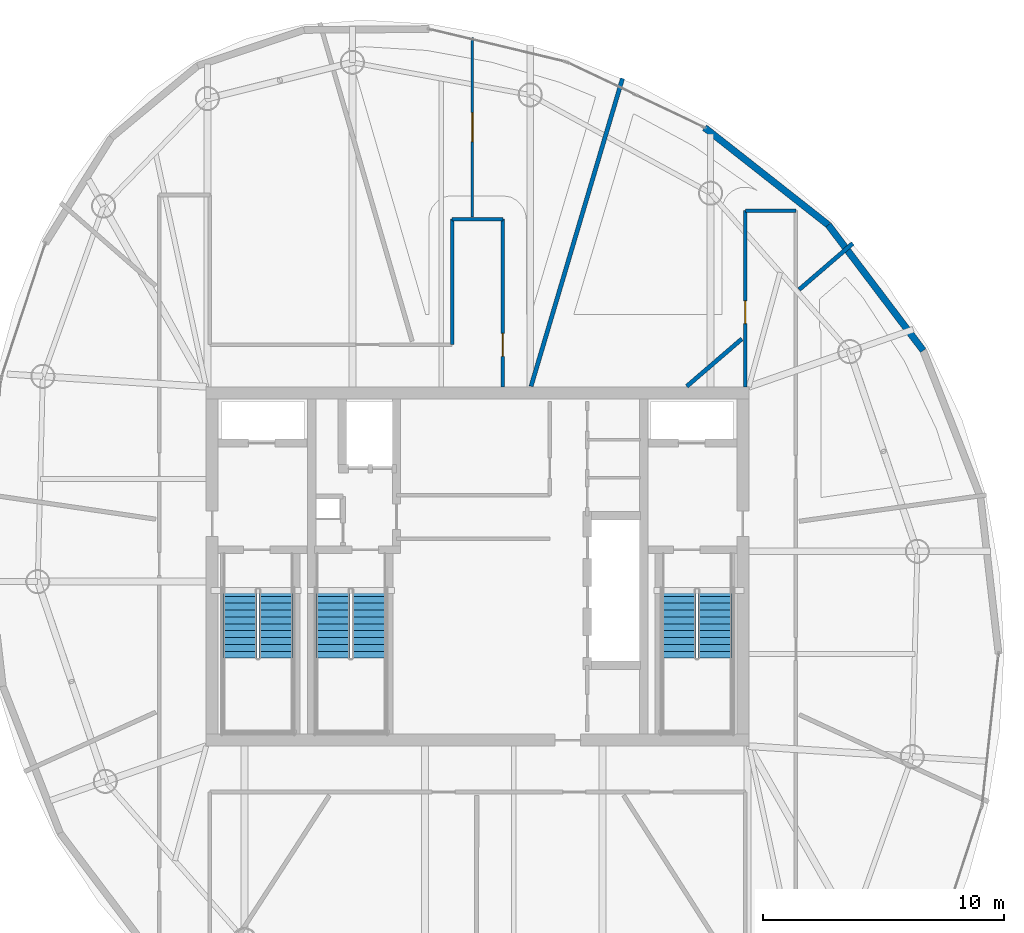
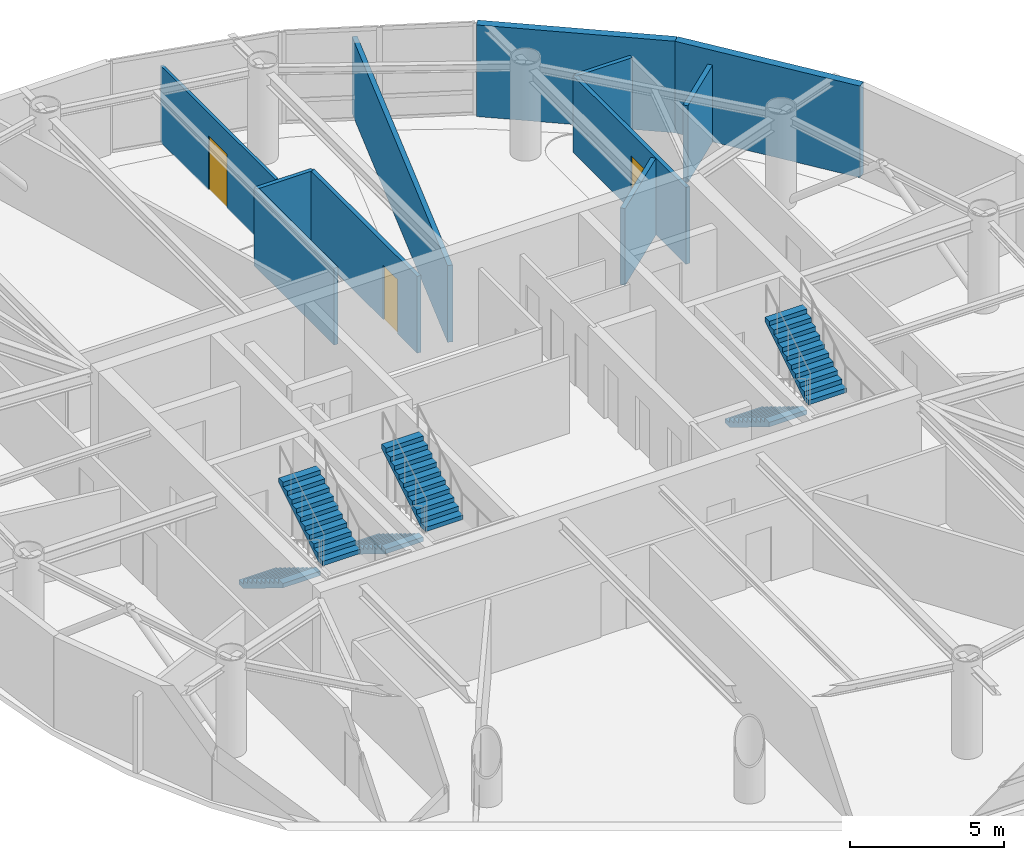
# One storey, part 17 of 20: 11 walls, 6 stair flights, 3 doors, 3 openings, 3 elements without a shape of their own.
"""IFC4 building model written with IfcOpenShell, lengths in metres."""

from ifc_helpers import new_model, si_unit, direction, frame, frame_2d, origin, place, context, subcontext, project, spatial, polyline, rectangle, outline, extrude, material, layer, layer_set, type_object, element, fill, aggregate, save


model = new_model("IFC4")

# Units and contexts
model_context = context("Model", 3, precision=1e-05, world=origin(), true_north=direction((0.0, 1.0)))
body_context = subcontext(model_context, "Body", "Model", "MODEL_VIEW")
ifc_project = project(units=[si_unit("LENGTHUNIT", "METRE"), si_unit("AREAUNIT", "SQUARE_METRE"), si_unit("VOLUMEUNIT", "CUBIC_METRE"), si_unit("PLANEANGLEUNIT", "RADIAN"), si_unit("MASSUNIT", "GRAM", prefix="KILO")], contexts=[model_context])

# Site, building, storey
site_placement = place(None, origin())
site = spatial("IfcSite", under=ifc_project, at=site_placement, CompositionType="ELEMENT")
building_placement = place(site_placement, origin())
building = spatial("IfcBuilding", under=site, at=building_placement, Name="Bramvorn Convention Spire", CompositionType="ELEMENT")
storey_placement = place(building_placement, frame((0.0, 0.0, 276.699951171875)))
storey = spatial("IfcBuildingStorey", under=building, at=storey_placement, Name="L70", CompositionType="ELEMENT", Elevation=276.699951171875)

# Walls
ifc_material_1 = material(Name="Precast Concrete C40/50 with Bronze Terracotta Rainscreen", Category="masonry")
ifc_layer_1 = layer(ifc_material_1, 0.300048828125)
ifc_layer_set_1 = layer_set([ifc_layer_1], Name="Precast Concrete C40/50 with Bronze Terracotta Rainscreen - WL-EXT-BRONZE-300")
wall_type_1 = type_object("IfcWallType", Name="WL-EXT-BRONZE-300", PredefinedType="SOLIDWALL", material=ifc_layer_set_1)
wall_1_placement = place(storey_placement, frame((52.54345703125, 40.159912109375, 0.0), z_axis=(0.0, 0.0, 1.0), x_axis=(0.602964309208, -0.797768162953, 0.0)))
element("IfcWall", 1, at=wall_1_placement, inside=storey, type_object=wall_type_1, Name="L70 expressed bronze Gothic lancet pier wall 07", PredefinedType="SOLIDWALL", context=body_context, shape_type="SweptSolid", body=[
    extrude(rectangle(XDim=6.527099609375, YDim=0.280029296875, at=frame_2d((3.263671875, 0.0))), origin(), (0.0, 0.0, 1.0), 3.625),
])
wall_2_placement = place(storey_placement, frame((47.414306640625, 44.195068359375, 0.0), z_axis=(0.0, 0.0, 1.0), x_axis=(0.785937839429, -0.618305517163, 0.0)))
element("IfcWall", 2, at=wall_2_placement, inside=storey, type_object=wall_type_1, Name="L70 expressed bronze Gothic lancet pier wall 08", PredefinedType="SOLIDWALL", context=body_context, shape_type="SweptSolid", body=[
    extrude(rectangle(XDim=6.526123046875, YDim=0.280029296875, at=frame_2d((3.26318359375, 0.0))), origin(), (0.0, 0.0, 1.0), 3.625),
])

# Wall, opening, door
ifc_material_2 = material(Name="Lightweight En-Suite & Wet-Wall Partition", Category="gypsum")
ifc_layer_2 = layer(ifc_material_2, 0.110107421875)
ifc_layer_set_2 = layer_set([ifc_layer_2], Name="Lightweight En-Suite & Wet-Wall Partition - WL-PART-110")
wall_type_2 = type_object("IfcWallType", Name="WL-PART-110", PredefinedType="PARTITIONING", material=ifc_layer_set_2)
wall_3_placement = place(storey_placement, frame((37.78759765625, 40.5, 0.0), z_axis=(0.0, 0.0, 1.0), x_axis=(0.0, 1.0, 0.0)))
wall_3 = element("IfcWall", 3, at=wall_3_placement, inside=storey, type_object=wall_type_2, Name="L70 Archive & Print Store 3 inner suite partition", PredefinedType="PARTITIONING", context=body_context, shape_type="SweptSolid", body=[
    extrude(rectangle(XDim=7.434814453125, YDim=0.110107421875, at=frame_2d((3.71728515625, 0.0))), origin(), (0.0, 0.0, 1.0), 3.0400390625),
])
opening_1_placement = place(wall_3_placement, frame((3.117431640625, 0.0, 0.0)))
opening_1 = element("IfcOpeningElement", 4, at=opening_1_placement, cuts=wall_3, Name="Opening DSL-12", PredefinedType="OPENING", context=body_context, shape_type="SweptSolid", body=[
    extrude(rectangle(XDim=1.199951171875, YDim=2.14990234375, at=frame_2d((0.60009765625, 1.074951171875))), frame((0.0, 0.06494140625, 0.0), z_axis=(0.0, -1.0, 0.0), x_axis=(1.0, 0.0, 0.0)), (0.0, 0.0, 1.0), 0.130126953125),
])
ifc_material_3 = material(Name="Pocket Sliding Bronze-Framed Glass Suite Door", Category="glass")
door_type_1 = type_object("IfcDoorType", Name="DR-SLIDE-1200", OperationType="NOTDEFINED", PredefinedType="DOOR", material=ifc_material_3)
door_1_placement = place(opening_1_placement, origin())
door_1 = element("IfcDoor", 5, at=door_1_placement, inside=storey, type_object=door_type_1, Name="L70 Inner Suite 3 door", OperationType="SLIDING_TO_RIGHT", OverallHeight=2.14990234375, OverallWidth=1.199951171875, PredefinedType="DOOR", context=body_context, shape_type="SweptSolid", body=[
    extrude(rectangle(XDim=1.199951171875, YDim=2.14990234375, at=frame_2d((0.60009765625, 1.074951171875))), frame((0.0, 0.02490234375, 0.0), z_axis=(0.0, -1.0, 0.0), x_axis=(1.0, 0.0, 0.0)), (0.0, 0.0, 1.0), 0.050048828125),
])
fill(opening_1, door_1)

ifc_material_4 = material(Name="Acoustic Metal-Stud Tenant/Corridor Partition", Category="gypsum")
ifc_layer_3 = layer(ifc_material_4, 0.14990234375)
ifc_layer_set_3 = layer_set([ifc_layer_3], Name="Acoustic Metal-Stud Tenant/Corridor Partition - WL-PART-150")
wall_type_3 = type_object("IfcWallType", Name="WL-PART-150", PredefinedType="PARTITIONING", material=ifc_layer_set_3)
wall_4_placement = place(storey_placement, frame((49.10009765625, 33.449951171875, 0.0), z_axis=(0.0, 0.0, 1.0), x_axis=(0.0, 1.0, 0.0)))
wall_4 = element("IfcWall", 6, at=wall_4_placement, inside=storey, type_object=wall_type_3, Name="L70 East gallery NW wall", PredefinedType="PARTITIONING", context=body_context, shape_type="SweptSolid", body=[
    extrude(rectangle(XDim=7.3056640625, YDim=0.14990234375, at=frame_2d((3.65283203125, 0.0))), origin(), (0.0, 0.0, 1.0), 3.0400390625),
])
opening_2_placement = place(wall_4_placement, frame((2.61474609375, 0.0, 0.0)))
opening_2 = element("IfcOpeningElement", 7, at=opening_2_placement, cuts=wall_4, Name="Opening DH-095", PredefinedType="OPENING", context=body_context, shape_type="SweptSolid", body=[
    extrude(rectangle(XDim=0.949951171875, YDim=2.14990234375, at=frame_2d((0.47509765625, 1.074951171875))), frame((0.0, 0.0849609375, 0.0), z_axis=(0.0, -1.0, 0.0), x_axis=(1.0, 0.0, 0.0)), (0.0, 0.0, 1.0), 0.169921875),
])
ifc_material_5 = material(Name="Solid-Core Acoustic Guestroom Entry Door", Category="wood")
door_type_2 = type_object("IfcDoorType", Name="DR-HOTEL-950", OperationType="NOTDEFINED", PredefinedType="DOOR", material=ifc_material_5)
door_2_placement = place(opening_2_placement, origin())
door_2 = element("IfcDoor", 8, at=door_2_placement, inside=storey, type_object=door_type_2, Name="L70 Archive & Document Vault 2 2 door", OperationType="SINGLE_SWING_RIGHT", OverallHeight=2.14990234375, OverallWidth=0.949951171875, PredefinedType="DOOR", context=body_context, shape_type="SweptSolid", body=[
    extrude(rectangle(XDim=0.949951171875, YDim=2.14990234375, at=frame_2d((0.47509765625, 1.074951171875))), frame((0.0, 0.02490234375, 0.0), z_axis=(0.0, -1.0, 0.0), x_axis=(1.0, 0.0, 0.0)), (0.0, 0.0, 1.0), 0.050048828125),
])
fill(opening_2, door_2)

# Walls
wall_5_placement = place(storey_placement, frame((49.10009765625, 40.755615234375, 0.0), z_axis=(0.0, 0.0, 1.0), x_axis=(1.0, 0.0, 0.0)))
element("IfcWall", 9, at=wall_5_placement, inside=storey, type_object=wall_type_3, Name="L70 East gallery north end", PredefinedType="PARTITIONING", context=body_context, shape_type="SweptSolid", body=[
    extrude(rectangle(XDim=2.099853515625, YDim=0.14990234375, at=frame_2d((1.0498046875, 0.0))), origin(), (0.0, 0.0, 1.0), 3.0400390625),
])
wall_6_placement = place(storey_placement, frame((36.949951171875, 35.199951171875, 0.0), z_axis=(0.0, 0.0, 1.0), x_axis=(0.0, 1.0, 0.0)))
element("IfcWall", 10, at=wall_6_placement, inside=storey, type_object=wall_type_3, Name="L70 North spur west wall", PredefinedType="PARTITIONING", context=body_context, shape_type="SweptSolid", body=[
    extrude(rectangle(XDim=5.199951171875, YDim=0.14990234375, at=frame_2d((2.60009765625, 0.0))), origin(), (0.0, 0.0, 1.0), 3.0400390625),
])

# Wall, opening, door
wall_7_placement = place(storey_placement, frame((39.050048828125, 33.449951171875, 0.0), z_axis=(0.0, 0.0, 1.0), x_axis=(0.0, 1.0, 0.0)))
wall_7 = element("IfcWall", 11, at=wall_7_placement, inside=storey, type_object=wall_type_3, Name="L70 North spur east wall", PredefinedType="PARTITIONING", context=body_context, shape_type="SweptSolid", body=[
    extrude(rectangle(XDim=6.949951171875, YDim=0.14990234375, at=frame_2d((3.47509765625, 0.0))), origin(), (0.0, 0.0, 1.0), 3.0400390625),
])
opening_3_placement = place(wall_7_placement, frame((1.262451171875, 0.0, 0.0)))
opening_3 = element("IfcOpeningElement", 12, at=opening_3_placement, cuts=wall_7, Name="Opening DH-095", PredefinedType="OPENING", context=body_context, shape_type="SweptSolid", body=[
    extrude(rectangle(XDim=0.949951171875, YDim=2.14990234375, at=frame_2d((0.47509765625, 1.074951171875))), frame((0.0, 0.0849609375, 0.0), z_axis=(0.0, -1.0, 0.0), x_axis=(1.0, 0.0, 0.0)), (0.0, 0.0, 1.0), 0.169921875),
])
door_3_placement = place(opening_3_placement, origin())
door_3 = element("IfcDoor", 13, at=door_3_placement, inside=storey, type_object=door_type_2, Name="L70 Archive & Print Store 3 3 door", OperationType="SINGLE_SWING_LEFT", OverallHeight=2.14990234375, OverallWidth=0.949951171875, PredefinedType="DOOR", context=body_context, shape_type="SweptSolid", body=[
    extrude(rectangle(XDim=0.949951171875, YDim=2.14990234375, at=frame_2d((0.47509765625, 1.074951171875))), frame((0.0, 0.02490234375, 0.0), z_axis=(0.0, -1.0, 0.0), x_axis=(1.0, 0.0, 0.0)), (0.0, 0.0, 1.0), 0.050048828125),
])
fill(opening_3, door_3)

# Walls
wall_8_placement = place(storey_placement, frame((36.949951171875, 40.39990234375, 0.0), z_axis=(0.0, 0.0, 1.0), x_axis=(1.0, 0.0, 0.0)))
element("IfcWall", 14, at=wall_8_placement, inside=storey, type_object=wall_type_3, Name="L70 North spur end wall", PredefinedType="PARTITIONING", context=body_context, shape_type="SweptSolid", body=[
    extrude(rectangle(XDim=2.10009765625, YDim=0.14990234375, at=frame_2d((1.050048828125, 0.0))), origin(), (0.0, 0.0, 1.0), 3.0400390625),
])
ifc_material_6 = material(Name="Double-Stud Acoustic Hotel/Suite Partition", Category="gypsum")
ifc_layer_4 = layer(ifc_material_6, 0.175048828125)
ifc_layer_set_4 = layer_set([ifc_layer_4], Name="Double-Stud Acoustic Hotel/Suite Partition - WL-PART-175")
wall_type_4 = type_object("IfcWallType", Name="WL-PART-175", PredefinedType="PARTITIONING", material=ifc_layer_set_4)
wall_9_placement = place(storey_placement, frame((46.67626953125, 33.469970703125, 0.0), z_axis=(0.0, 0.0, 1.0), x_axis=(0.757802183171, 0.652484368534, 0.0)))
element("IfcWall", 15, at=wall_9_placement, inside=storey, type_object=wall_type_4, Name="L70 Tenant suite partition 2", PredefinedType="PARTITIONING", context=body_context, shape_type="SweptSolid", body=[
    extrude(rectangle(XDim=3.013671875, YDim=0.175048828125, at=frame_2d((1.5068359375, 0.0))), origin(), (0.0, 0.0, 1.0), 3.0400390625),
])
wall_10_placement = place(storey_placement, frame((51.340087890625, 37.4853515625, 0.0), z_axis=(0.0, 0.0, 1.0), x_axis=(0.757854651691, 0.65242342609, 0.0)))
element("IfcWall", 16, at=wall_10_placement, inside=storey, type_object=wall_type_4, Name="L70 Tenant suite partition 2", PredefinedType="PARTITIONING", context=body_context, shape_type="SweptSolid", body=[
    extrude(rectangle(XDim=2.92919921875, YDim=0.175048828125, at=frame_2d((1.464599609375, 0.0))), origin(), (0.0, 0.0, 1.0), 3.0400390625),
])
wall_11_placement = place(storey_placement, frame((40.21923828125, 33.469970703125, 0.0), z_axis=(0.0, 0.0, 1.0), x_axis=(0.284761265489, 0.958598467387, 0.0)))
element("IfcWall", 17, at=wall_11_placement, inside=storey, type_object=wall_type_4, Name="L70 Tenant suite partition 3", PredefinedType="PARTITIONING", context=body_context, shape_type="SweptSolid", body=[
    extrude(rectangle(XDim=13.314697265625, YDim=0.175048828125, at=frame_2d((6.6572265625, 0.0))), origin(), (0.0, 0.0, 1.0), 3.0400390625),
])

# Stair, stair flights
ifc_material_7 = material(Name="Concrete C40/50 Precast Stair", Category="concrete")
stair_type = type_object("IfcStairType", Name="ST-TOWER-1550", PredefinedType="HALF_TURN_STAIR", material=ifc_material_7)
stair_1_placement = place(storey_placement, origin())
stair_1 = element("IfcStair", 18, at=stair_1_placement, inside=storey, type_object=stair_type, Name="L70 Protected Exit Stair ST1", PredefinedType="HALF_TURN_STAIR")
ifc_material_8 = material(Name="Concrete C40/50 Precast Stair Flight", Category="concrete")
stair_flight_type = type_object("IfcStairFlightType", Name="STF-TOWER-1550", PredefinedType="STRAIGHT", material=ifc_material_8)
stair_flight_1_placement = place(storey_placement, frame((28.155029296875, 25.050048828125, 0.0), z_axis=(0.0, 0.0, 1.0), x_axis=(0.0, -1.0, 0.0)))
stair_flight_1 = element("IfcStairFlight", 19, at=stair_flight_1_placement, type_object=stair_flight_type, Name="ST1 flight 1", NumberOfRisers=11, NumberOfTreads=10, PredefinedType="STRAIGHT", RiserHeight=0.175, TreadLength=0.285, context=body_context, shape_type="SweptSolid", body=[
    extrude(outline(polyline([(0.0, 0.0), (0.0, 0.175048828125), (0.284912109375, 0.175048828125), (0.284912109375, 0.35009765625), (0.570068359375, 0.35009765625), (0.570068359375, 0.52490234375), (0.85498046875, 0.52490234375), (0.85498046875, 0.699951171875), (1.139892578125, 0.699951171875), (1.139892578125, 0.875), (1.425048828125, 0.875), (1.425048828125, 1.050048828125), (1.7099609375, 1.050048828125), (1.7099609375, 1.22509765625), (1.9951171875, 1.22509765625), (1.9951171875, 1.39990234375), (2.280029296875, 1.39990234375), (2.280029296875, 1.574951171875), (2.56494140625, 1.574951171875), (2.56494140625, 1.75), (2.85009765625, 1.75), (2.85009765625, 1.925048828125), (2.85009765625, 1.573974609375), (0.286376953125, 0.0), (0.0, 0.0)])), frame((0.0, 0.705078125, 0.0), z_axis=(0.0, -1.0, 0.0), x_axis=(1.0, 0.0, 0.0)), (0.0, 0.0, 1.0), 1.409912109375),
])
stair_flight_2_placement = place(storey_placement, frame((29.64501953125, 22.199951171875, 1.925048828125), z_axis=(0.0, 0.0, 1.0), x_axis=(0.0, 1.0, 0.0)))
stair_flight_2 = element("IfcStairFlight", 20, at=stair_flight_2_placement, type_object=stair_flight_type, Name="ST1 flight 2", NumberOfRisers=11, NumberOfTreads=10, PredefinedType="STRAIGHT", RiserHeight=0.175, TreadLength=0.285, context=body_context, shape_type="SweptSolid", body=[
    extrude(outline(polyline([(0.0, 0.0), (0.0, 0.175048828125), (0.284912109375, 0.175048828125), (0.284912109375, 0.35009765625), (0.570068359375, 0.35009765625), (0.570068359375, 0.52490234375), (0.85498046875, 0.52490234375), (0.85498046875, 0.699951171875), (1.139892578125, 0.699951171875), (1.139892578125, 0.875), (1.425048828125, 0.875), (1.425048828125, 1.050048828125), (1.7099609375, 1.050048828125), (1.7099609375, 1.22509765625), (1.9951171875, 1.22509765625), (1.9951171875, 1.39990234375), (2.280029296875, 1.39990234375), (2.280029296875, 1.574951171875), (2.56494140625, 1.574951171875), (2.56494140625, 1.75), (2.85009765625, 1.75), (2.85009765625, 1.925048828125), (2.85009765625, 1.573974609375), (0.286376953125, 0.0), (0.0, 0.0)])), frame((0.0, 0.705078125, 0.0), z_axis=(0.0, -1.0, 0.0), x_axis=(1.0, 0.0, 0.0)), (0.0, 0.0, 1.0), 1.409912109375),
])
aggregate(stair_1, [stair_flight_1, stair_flight_2])

stair_2_placement = place(storey_placement, origin())
stair_2 = element("IfcStair", 21, at=stair_2_placement, inside=storey, type_object=stair_type, Name="L70 Protected Exit Stair ST2", PredefinedType="HALF_TURN_STAIR")
stair_flight_3_placement = place(storey_placement, frame((46.35498046875, 25.050048828125, 0.0), z_axis=(0.0, 0.0, 1.0), x_axis=(0.0, -1.0, 0.0)))
stair_flight_3 = element("IfcStairFlight", 22, at=stair_flight_3_placement, type_object=stair_flight_type, Name="ST2 flight 1", NumberOfRisers=11, NumberOfTreads=10, PredefinedType="STRAIGHT", RiserHeight=0.175, TreadLength=0.285, context=body_context, shape_type="SweptSolid", body=[
    extrude(outline(polyline([(0.0, 0.0), (0.0, 0.175048828125), (0.284912109375, 0.175048828125), (0.284912109375, 0.35009765625), (0.570068359375, 0.35009765625), (0.570068359375, 0.52490234375), (0.85498046875, 0.52490234375), (0.85498046875, 0.699951171875), (1.139892578125, 0.699951171875), (1.139892578125, 0.875), (1.425048828125, 0.875), (1.425048828125, 1.050048828125), (1.7099609375, 1.050048828125), (1.7099609375, 1.22509765625), (1.9951171875, 1.22509765625), (1.9951171875, 1.39990234375), (2.280029296875, 1.39990234375), (2.280029296875, 1.574951171875), (2.56494140625, 1.574951171875), (2.56494140625, 1.75), (2.85009765625, 1.75), (2.85009765625, 1.925048828125), (2.85009765625, 1.573974609375), (0.286376953125, 0.0), (0.0, 0.0)])), frame((0.0, 0.705078125, 0.0), z_axis=(0.0, -1.0, 0.0), x_axis=(1.0, 0.0, 0.0)), (0.0, 0.0, 1.0), 1.409912109375),
])
stair_flight_4_placement = place(storey_placement, frame((47.844970703125, 22.199951171875, 1.925048828125), z_axis=(0.0, 0.0, 1.0), x_axis=(0.0, 1.0, 0.0)))
stair_flight_4 = element("IfcStairFlight", 23, at=stair_flight_4_placement, type_object=stair_flight_type, Name="ST2 flight 2", NumberOfRisers=11, NumberOfTreads=10, PredefinedType="STRAIGHT", RiserHeight=0.175, TreadLength=0.285, context=body_context, shape_type="SweptSolid", body=[
    extrude(outline(polyline([(0.0, 0.0), (0.0, 0.175048828125), (0.284912109375, 0.175048828125), (0.284912109375, 0.35009765625), (0.570068359375, 0.35009765625), (0.570068359375, 0.52490234375), (0.85498046875, 0.52490234375), (0.85498046875, 0.699951171875), (1.139892578125, 0.699951171875), (1.139892578125, 0.875), (1.425048828125, 0.875), (1.425048828125, 1.050048828125), (1.7099609375, 1.050048828125), (1.7099609375, 1.22509765625), (1.9951171875, 1.22509765625), (1.9951171875, 1.39990234375), (2.280029296875, 1.39990234375), (2.280029296875, 1.574951171875), (2.56494140625, 1.574951171875), (2.56494140625, 1.75), (2.85009765625, 1.75), (2.85009765625, 1.925048828125), (2.85009765625, 1.573974609375), (0.286376953125, 0.0), (0.0, 0.0)])), frame((0.0, 0.705078125, 0.0), z_axis=(0.0, -1.0, 0.0), x_axis=(1.0, 0.0, 0.0)), (0.0, 0.0, 1.0), 1.409912109375),
])
aggregate(stair_2, [stair_flight_3, stair_flight_4])

stair_3_placement = place(storey_placement, origin())
stair_3 = element("IfcStair", 24, at=stair_3_placement, inside=storey, type_object=stair_type, Name="L70 Protected Exit Stair ST3", PredefinedType="HALF_TURN_STAIR")
stair_flight_5_placement = place(storey_placement, frame((32.0048828125, 25.050048828125, 0.0), z_axis=(0.0, 0.0, 1.0), x_axis=(0.0, -1.0, 0.0)))
stair_flight_5 = element("IfcStairFlight", 25, at=stair_flight_5_placement, type_object=stair_flight_type, Name="ST3 flight 1", NumberOfRisers=11, NumberOfTreads=10, PredefinedType="STRAIGHT", RiserHeight=0.175, TreadLength=0.285, context=body_context, shape_type="SweptSolid", body=[
    extrude(outline(polyline([(0.0, 0.0), (0.0, 0.175048828125), (0.284912109375, 0.175048828125), (0.284912109375, 0.35009765625), (0.570068359375, 0.35009765625), (0.570068359375, 0.52490234375), (0.85498046875, 0.52490234375), (0.85498046875, 0.699951171875), (1.139892578125, 0.699951171875), (1.139892578125, 0.875), (1.425048828125, 0.875), (1.425048828125, 1.050048828125), (1.7099609375, 1.050048828125), (1.7099609375, 1.22509765625), (1.9951171875, 1.22509765625), (1.9951171875, 1.39990234375), (2.280029296875, 1.39990234375), (2.280029296875, 1.574951171875), (2.56494140625, 1.574951171875), (2.56494140625, 1.75), (2.85009765625, 1.75), (2.85009765625, 1.925048828125), (2.85009765625, 1.573974609375), (0.286376953125, 0.0), (0.0, 0.0)])), frame((0.0, 0.705078125, 0.0), z_axis=(0.0, -1.0, 0.0), x_axis=(1.0, 0.0, 0.0)), (0.0, 0.0, 1.0), 1.409912109375),
])
stair_flight_6_placement = place(storey_placement, frame((33.4951171875, 22.199951171875, 1.925048828125), z_axis=(0.0, 0.0, 1.0), x_axis=(0.0, 1.0, 0.0)))
stair_flight_6 = element("IfcStairFlight", 26, at=stair_flight_6_placement, type_object=stair_flight_type, Name="ST3 flight 2", NumberOfRisers=11, NumberOfTreads=10, PredefinedType="STRAIGHT", RiserHeight=0.175, TreadLength=0.285, context=body_context, shape_type="SweptSolid", body=[
    extrude(outline(polyline([(0.0, 0.0), (0.0, 0.175048828125), (0.284912109375, 0.175048828125), (0.284912109375, 0.35009765625), (0.570068359375, 0.35009765625), (0.570068359375, 0.52490234375), (0.85498046875, 0.52490234375), (0.85498046875, 0.699951171875), (1.139892578125, 0.699951171875), (1.139892578125, 0.875), (1.425048828125, 0.875), (1.425048828125, 1.050048828125), (1.7099609375, 1.050048828125), (1.7099609375, 1.22509765625), (1.9951171875, 1.22509765625), (1.9951171875, 1.39990234375), (2.280029296875, 1.39990234375), (2.280029296875, 1.574951171875), (2.56494140625, 1.574951171875), (2.56494140625, 1.75), (2.85009765625, 1.75), (2.85009765625, 1.925048828125), (2.85009765625, 1.573974609375), (0.286376953125, 0.0), (0.0, 0.0)])), frame((0.0, 0.705078125, 0.0), z_axis=(0.0, -1.0, 0.0), x_axis=(1.0, 0.0, 0.0)), (0.0, 0.0, 1.0), 1.409912109375),
])
aggregate(stair_3, [stair_flight_5, stair_flight_6])

save(model, "model.ifc")
